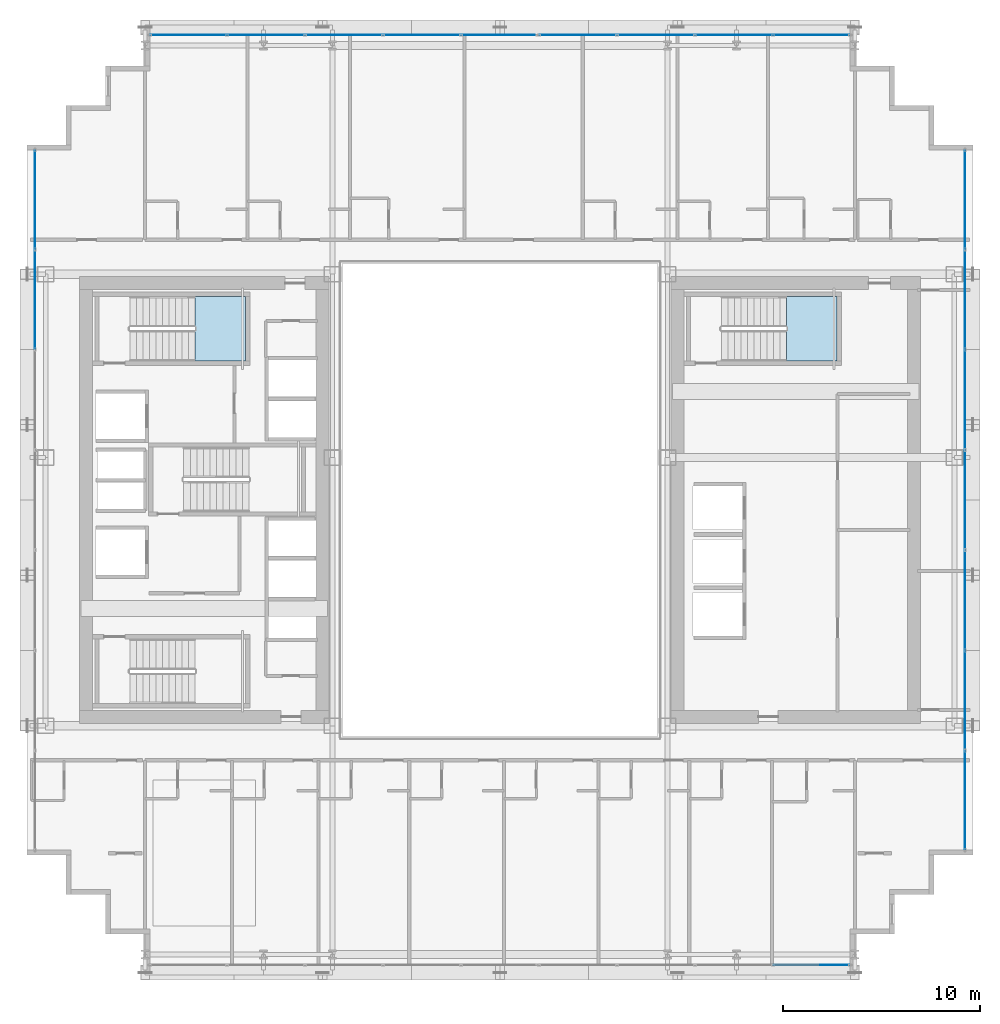
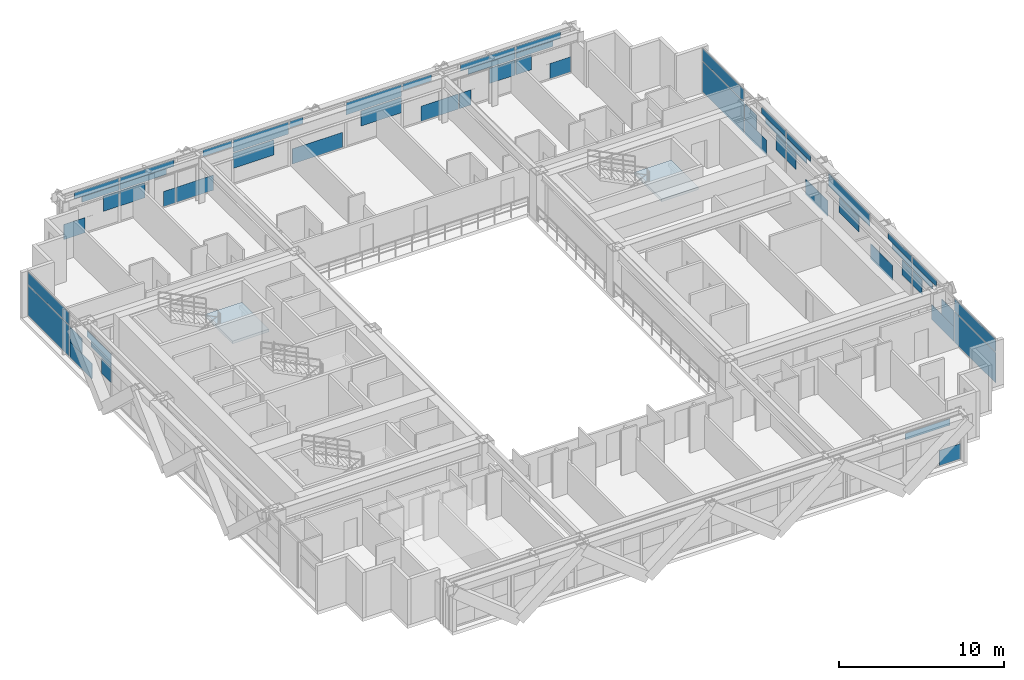
# One storey, part 24 of 35: 59 plates, 2 slabs, 6 elements without a shape of their own.
"""IFC4 building model written with IfcOpenShell, lengths in metres."""

import ifcopenshell
import ifcopenshell.guid

model = None  # the IFC model being written
_history = None  # IfcOwnerHistory: only IFC2X3 demands one
_inside = {}  # id of a spatial element -> (the spatial element, [elements in it])
_under = {}  # id of a project, library or spatial element -> (it, [spatial elements below it])
_declared = {}  # id of a project -> (the project, [libraries it declares])
_typed = {}  # id of a type object -> (the type object, [elements of that type])
_made_of = {}  # id of a material, layer set ... -> (it, [elements and type objects made of it])


def new_model(schema):
    """Start an empty IFC model of exactly this schema.

    Asked for "IFC4X3", IfcOpenShell would pick the latest addendum, in which some entities
    have other attributes; the version numbers below select the first issue.
    IFC2X3 requires an IfcOwnerHistory on every rooted entity: one is made here for all.
    """
    global model, _history
    if schema == "IFC4X3":
        model = ifcopenshell.file(schema_version=(4, 3, 0, 0))
    else:
        model = ifcopenshell.file(schema=schema)
    _inside.clear()
    _under.clear()
    _declared.clear()
    _typed.clear()
    _made_of.clear()
    _history = None
    if model.schema == "IFC2X3":
        org = make("IfcOrganization", Name="unknown")
        user = make(
            "IfcPersonAndOrganization",
            ThePerson=make("IfcPerson", FamilyName="unknown"),
            TheOrganization=org,
        )
        app = make(
            "IfcApplication",
            ApplicationDeveloper=org,
            Version="unknown",
            ApplicationFullName="unknown",
            ApplicationIdentifier="unknown",
        )
        _history = make(
            "IfcOwnerHistory",
            OwningUser=user,
            OwningApplication=app,
            ChangeAction="ADDED",
            CreationDate=0,
        )
    return model


def make(cls, **values):
    """One entity of the class cls with the attributes given. An attribute that is None is left unset."""
    return model.create_entity(
        cls, **{name: value for name, value in values.items() if value is not None}
    )


def rooted(cls, **values):
    """An entity with a GlobalId (a new one), such as an element, a storey or a relation."""
    return make(cls, GlobalId=ifcopenshell.guid.new(), OwnerHistory=_history, **values)


def si_unit(unit_type, name, prefix=None):
    """IfcSIUnit, for example si_unit("LENGTHUNIT", "METRE", prefix="MILLI")."""
    return make("IfcSIUnit", UnitType=unit_type, Prefix=prefix, Name=name)


def assignment(units):
    """IfcUnitAssignment: the units of a project."""
    return None if units is None else make("IfcUnitAssignment", Units=units)


def point(xyz):
    """IfcCartesianPoint."""
    return None if xyz is None else make("IfcCartesianPoint", Coordinates=xyz)


def direction(xyz):
    """IfcDirection."""
    return None if xyz is None else make("IfcDirection", DirectionRatios=xyz)


def frame(location, z_axis=None, x_axis=None):
    """IfcAxis2Placement3D, a coordinate frame: its origin and axes. An axis left out is left unset."""
    return make(
        "IfcAxis2Placement3D",
        Location=point(location),
        Axis=direction(z_axis),
        RefDirection=direction(x_axis),
    )


def frame_2d(location, x_axis=None):
    """IfcAxis2Placement2D, a coordinate frame in the plane: its origin and x axis."""
    return make(
        "IfcAxis2Placement2D", Location=point(location), RefDirection=direction(x_axis)
    )


def origin():
    """The frame at (0, 0, 0) with its axes left unset."""
    return frame((0.0, 0.0, 0.0))


def origin_2d():
    """The frame at (0, 0) in the plane with its x axis left unset."""
    return frame_2d((0.0, 0.0))


def place(relative_to, where):
    """IfcLocalPlacement: puts the frame where relative to a parent placement (None: the world)."""
    return make(
        "IfcLocalPlacement", PlacementRelTo=relative_to, RelativePlacement=where
    )


def context(
    kind, dimensions, precision=None, world=None, true_north=None, identifier=None
):
    """IfcGeometricRepresentationContext, for example the 3D "Model" context."""
    return make(
        "IfcGeometricRepresentationContext",
        ContextIdentifier=identifier,
        ContextType=kind,
        CoordinateSpaceDimension=dimensions,
        Precision=precision,
        WorldCoordinateSystem=world,
        TrueNorth=true_north,
    )


def subcontext(parent, identifier, kind, view, scale=None):
    """IfcGeometricRepresentationSubContext, for example "Body" below "Model"."""
    return make(
        "IfcGeometricRepresentationSubContext",
        ContextIdentifier=identifier,
        ContextType=kind,
        ParentContext=parent,
        TargetScale=scale,
        TargetView=view,
    )


def project(units=None, contexts=None):
    """IfcProject with its units and contexts."""
    return rooted(
        "IfcProject",
        Name="project",
        RepresentationContexts=contexts,
        UnitsInContext=assignment(units),
    )


def spatial(cls, under=None, at=None, **own):
    """A site, building, storey or space (cls), placed at a placement, below another one or the project."""
    s = rooted(cls, ObjectPlacement=at, **own)
    if under is not None:
        _under.setdefault(under.id(), (under, []))[1].append(s)
    return s


def polyline(points):
    """IfcPolyline through the points."""
    return make("IfcPolyline", Points=[point(p) for p in points])


def profile(cls, at=None, kind="AREA", **sizes):
    """A parametric profile (cls). Its sizes go by their IFC names, for example OverallWidth=200.0."""
    return make(cls, ProfileType=kind, Position=at, **sizes)


def rectangle(**sizes):
    """IfcRectangleProfileDef."""
    return profile("IfcRectangleProfileDef", **sizes)


def outline(outer, holes=None, kind="AREA"):
    """IfcArbitraryClosedProfileDef: a profile drawn as a closed curve; with holes, ...WithVoids."""
    if holes is None:
        return make("IfcArbitraryClosedProfileDef", ProfileType=kind, OuterCurve=outer)
    return make(
        "IfcArbitraryProfileDefWithVoids",
        ProfileType=kind,
        OuterCurve=outer,
        InnerCurves=holes,
    )


def extrude(swept, where, along, depth):
    """IfcExtrudedAreaSolid: the profile swept, set in the frame where, extruded along a direction by depth."""
    return make(
        "IfcExtrudedAreaSolid",
        SweptArea=swept,
        Position=where,
        ExtrudedDirection=direction(along),
        Depth=depth,
    )


def shape(context_of_items, identifier, shape_type, items):
    """IfcShapeRepresentation: the items that make up one representation, for example the "Body"."""
    return make(
        "IfcShapeRepresentation",
        ContextOfItems=context_of_items,
        RepresentationIdentifier=identifier,
        RepresentationType=shape_type,
        Items=items,
    )


def source(mapping_origin, context_of_items, identifier, shape_type, items):
    """IfcRepresentationMap: a shape defined once, which mapped items show again and again."""
    return make(
        "IfcRepresentationMap",
        MappingOrigin=mapping_origin,
        MappedRepresentation=shape(context_of_items, identifier, shape_type, items),
    )


def transform(
    local_origin,
    x_axis=None,
    y_axis=None,
    z_axis=None,
    scale=None,
    scale2=None,
    scale3=None,
    uniform=True,
):
    """IfcCartesianTransformationOperator3D, or its non-uniform kind. x_axis, y_axis, z_axis: its Axis1, 2, 3."""
    if uniform:
        return make(
            "IfcCartesianTransformationOperator3D",
            Axis1=direction(x_axis),
            Axis2=direction(y_axis),
            LocalOrigin=point(local_origin),
            Scale=scale,
            Axis3=direction(z_axis),
        )
    return make(
        "IfcCartesianTransformationOperator3DnonUniform",
        Axis1=direction(x_axis),
        Axis2=direction(y_axis),
        LocalOrigin=point(local_origin),
        Scale=scale,
        Axis3=direction(z_axis),
        Scale2=scale2,
        Scale3=scale3,
    )


def mapped(mapping_source, mapping_target):
    """IfcMappedItem: shows the shape of a source again, moved by a transform."""
    return make(
        "IfcMappedItem", MappingSource=mapping_source, MappingTarget=mapping_target
    )


def material(Name=None, Category=None):
    """IfcMaterial."""
    return make("IfcMaterial", Name=Name, Category=Category)


def layer(
    of_material, thickness, ventilated=None, Name=None, Category=None, Priority=None
):
    """IfcMaterialLayer: one layer of a wall or slab, of a material (None: an air gap)."""
    return make(
        "IfcMaterialLayer",
        Material=of_material,
        LayerThickness=thickness,
        IsVentilated=ventilated,
        Name=Name,
        Category=Category,
        Priority=Priority,
    )


def layer_set(layers, Name=None):
    """IfcMaterialLayerSet."""
    return make("IfcMaterialLayerSet", MaterialLayers=layers, LayerSetName=Name)


def made_of(thing, what):
    """Note that an element or type object is made of a material, layer set ...; save() writes the relation."""
    if what is not None:
        _made_of.setdefault(what.id(), (what, []))[1].append(thing)
    return thing


def type_object(cls, material=None, **own):
    """A type object (cls), such as IfcWallType, which elements share."""
    return made_of(rooted(cls, **own), material)


def element(
    cls,
    number,
    at=None,
    inside=None,
    cuts=None,
    type_object=None,
    material=None,
    context=None,
    identifier="Body",
    shape_type=None,
    held_by="IfcProductDefinitionShape",
    body=None,
    shapes=None,
    **own,
):
    """One element of the class cls, such as IfcWall. Its Tag is "e" and its number.

    at: its placement. inside: the storey or other place that contains it. cuts: it is an
    opening in that element (IfcRelVoidsElement). A single representation is given by context,
    identifier, shape_type and body (its items); several are given by shapes. held_by: the class
    of the entity that holds the representations. save() writes the other relations.
    """
    e = rooted(cls, Tag="e%d" % number, ObjectPlacement=at, **own)
    if body is not None:
        shapes = [shape(context, identifier, shape_type, body)]
    if shapes is not None:
        e.Representation = make(held_by, Representations=shapes)
    if inside is not None:
        _inside.setdefault(inside.id(), (inside, []))[1].append(e)
    if cuts is not None:
        rooted(
            "IfcRelVoidsElement", RelatingBuildingElement=cuts, RelatedOpeningElement=e
        )
    if type_object is not None:
        _typed.setdefault(type_object.id(), (type_object, []))[1].append(e)
    return made_of(e, material)


def aggregate(whole, parts):
    """IfcRelAggregates: a whole, such as a stair, and the parts it consists of."""
    return rooted("IfcRelAggregates", RelatingObject=whole, RelatedObjects=parts)


def save(model, path):
    """Write the relations noted so far, then the file.

    IfcRelAggregates (storeys below a building ...), IfcRelContainedInSpatialStructure (elements
    in a storey), IfcRelDefinesByType, IfcRelAssociatesMaterial and IfcRelDeclares: one each for
    every whole, place, type object, material and project.
    """
    for whole, parts in _under.values():
        aggregate(whole, parts)
    for where, things in _inside.values():
        rooted(
            "IfcRelContainedInSpatialStructure",
            RelatedElements=things,
            RelatingStructure=where,
        )
    for kind, things in _typed.values():
        rooted("IfcRelDefinesByType", RelatedObjects=things, RelatingType=kind)
    for what, things in _made_of.values():
        rooted("IfcRelAssociatesMaterial", RelatedObjects=things, RelatingMaterial=what)
    for by, libraries in _declared.values():
        rooted("IfcRelDeclares", RelatingContext=by, RelatedDefinitions=libraries)
    model.write(path)


model = new_model("IFC4")

# Units and contexts
model_context = context("Model", 3, precision=1e-05, world=origin(), true_north=direction((0.0, 1.0)))
body_context = subcontext(model_context, "Body", "Model", "MODEL_VIEW")
ifc_project = project(units=[si_unit("LENGTHUNIT", "METRE"), si_unit("AREAUNIT", "SQUARE_METRE"), si_unit("VOLUMEUNIT", "CUBIC_METRE"), si_unit("PLANEANGLEUNIT", "RADIAN"), si_unit("MASSUNIT", "GRAM", prefix="KILO")], contexts=[model_context])

# Site, building, storey
site_placement = place(None, origin())
site = spatial("IfcSite", under=ifc_project, at=site_placement, CompositionType="ELEMENT")
building_placement = place(site_placement, origin())
building = spatial("IfcBuilding", under=site, at=building_placement, Name="Ocotamira Hotel", CompositionType="ELEMENT")
storey_placement = place(building_placement, frame((0.0, 0.0, 100.800048828125)))
storey = spatial("IfcBuildingStorey", under=building, at=storey_placement, Name="L24", CompositionType="ELEMENT", Elevation=100.800048828125)

# Stair, slab
ifc_material_1 = material(Name="Concrete C40/50", Category="concrete")
stair_type = type_object("IfcStairType", Name="ST-CORE-1560", PredefinedType="HALF_TURN_STAIR", material=ifc_material_1)
stair_1_placement = place(storey_placement, origin())
stair_1 = element("IfcStair", 1, at=stair_1_placement, inside=storey, type_object=stair_type, Name="L24 Exit Stair ST-2", PredefinedType="HALF_TURN_STAIR")
ifc_layer_1 = layer(ifc_material_1, 0.199951171875)
ifc_layer_set_1 = layer_set([ifc_layer_1], Name="Concrete C40/50")
slab_type = type_object("IfcSlabType", Name="SLB-LAND-200", PredefinedType="LANDING", material=ifc_layer_set_1)
slab_1_placement = place(storey_placement, frame((0.0, 0.0, 1.599853515625)))
slab_1 = element("IfcSlab", 2, at=slab_1_placement, type_object=slab_type, Name="ST-2 landing 1", PredefinedType="LANDING", context=body_context, shape_type="SweptSolid", body=[
    extrude(outline(polyline([(16.530029296875, 33.050048828125), (19.090087890625, 33.050048828125), (19.090087890625, 36.330078125), (16.530029296875, 36.330078125), (16.530029296875, 33.050048828125)])), origin(), (0.0, 0.0, 1.0), 0.2001953125),
])
aggregate(stair_1, [slab_1])

stair_2_placement = place(storey_placement, origin())
stair_2 = element("IfcStair", 3, at=stair_2_placement, inside=storey, type_object=stair_type, Name="L24 Exit Stair ST-4", PredefinedType="HALF_TURN_STAIR")
slab_2_placement = place(storey_placement, frame((0.0, 0.0, 1.599853515625)))
slab_2 = element("IfcSlab", 4, at=slab_2_placement, type_object=slab_type, Name="ST-4 landing 1", PredefinedType="LANDING", context=body_context, shape_type="SweptSolid", body=[
    extrude(outline(polyline([(46.530029296875, 33.050048828125), (49.090087890625, 33.050048828125), (49.090087890625, 36.330078125), (46.530029296875, 36.330078125), (46.530029296875, 33.050048828125)])), origin(), (0.0, 0.0, 1.0), 0.2001953125),
])
aggregate(stair_2, [slab_2])

# Curtain wall, plate
ifc_material_2 = material(Name="Anodised pale-metal aluminium and solar glass", Category="aluminium")
ifc_layer_2 = layer(ifc_material_2, 0.179931640625)
ifc_layer_set_2 = layer_set([ifc_layer_2], Name="Anodised pale-metal aluminium and solar glass")
curtain_wall_type = type_object("IfcCurtainWallType", Name="CW-SYS3-Z2", PredefinedType="NOTDEFINED", material=ifc_layer_set_2)
curtain_wall_1_placement = place(storey_placement, origin())
curtain_wall_1 = element("IfcCurtainWall", 5, at=curtain_wall_1_placement, inside=storey, type_object=curtain_wall_type, Name="L24 Curtain Wall CW-3 CW-L24-W", PredefinedType="NOTDEFINED")
ifc_material_3 = material(Name="Double-silver low-E insulated solar glass", Category="glass")
ifc_layer_3 = layer(ifc_material_3, 0.031982421875)
ifc_layer_set_3 = layer_set([ifc_layer_3], Name="Double-silver low-E insulated solar glass")
plate_type = type_object("IfcPlateType", Name="CWP-VISION-32", PredefinedType="CURTAIN_PANEL", material=ifc_layer_set_3)
shared_shape_1 = source(origin(), body_context, "Body", "SweptSolid", [
    extrude(rectangle(XDim=4.9658203125, YDim=0.031982421875, at=origin_2d()), origin(), (0.0, 0.0, 1.0), 2.237548828125),
])
plate_1_placement = place(storey_placement, frame((8.419921875, 41.237060546875, 0.07470703125), z_axis=(0.0, 0.0, 1.0), x_axis=(0.0, 1.0, 0.0)))
plate_1 = element("IfcPlate", 6, at=plate_1_placement, type_object=plate_type, Name="CW-3 panel 7.1", PredefinedType="CURTAIN_PANEL", context=body_context, shape_type="MappedRepresentation", body=[
    mapped(shared_shape_1, transform((0.0, 0.0, 0.0), scale=1.0)),
])

# Curtain wall, plates
curtain_wall_2_placement = place(storey_placement, origin())
curtain_wall_2 = element("IfcCurtainWall", 7, at=curtain_wall_2_placement, inside=storey, type_object=curtain_wall_type, Name="L24 Curtain Wall CW-3 CW-L24-E", PredefinedType="NOTDEFINED")
plate_2_placement = place(storey_placement, frame((55.580078125, 10.762939453125, 0.07470703125), z_axis=(0.0, 0.0, 1.0), x_axis=(0.0, 1.0, 0.0)))
plate_2 = element("IfcPlate", 8, at=plate_2_placement, type_object=plate_type, Name="CW-3 panel 1.1", PredefinedType="CURTAIN_PANEL", context=body_context, shape_type="MappedRepresentation", body=[
    mapped(shared_shape_1, transform((0.0, 0.0, 0.0), scale=1.0)),
])
plate_3_placement = place(storey_placement, frame((55.580078125, 41.237060546875, 0.07470703125), z_axis=(0.0, 0.0, 1.0), x_axis=(0.0, 1.0, 0.0)))
plate_3 = element("IfcPlate", 9, at=plate_3_placement, type_object=plate_type, Name="CW-3 panel 7.1", PredefinedType="CURTAIN_PANEL", context=body_context, shape_type="MappedRepresentation", body=[
    mapped(shared_shape_1, transform((0.0, 0.0, 0.0), scale=1.0)),
])

curtain_wall_3_placement = place(storey_placement, origin())
curtain_wall_3 = element("IfcCurtainWall", 10, at=curtain_wall_3_placement, inside=storey, type_object=curtain_wall_type, Name="L24 Curtain Wall CW-3 CW-L24-N", PredefinedType="NOTDEFINED")
shared_shape_2 = source(origin(), body_context, "Body", "SweptSolid", [
    extrude(rectangle(XDim=3.87548828125, YDim=0.031982421875, at=origin_2d()), origin(), (0.0, 0.0, 1.0), 0.8974609375),
])
plate_4_placement = place(storey_placement, frame((28.04443359375, 49.580078125, 2.387451171875), z_axis=(0.0, 0.0, 1.0), x_axis=(1.0, 0.0, 0.0)))
plate_4 = element("IfcPlate", 11, at=plate_4_placement, type_object=plate_type, Name="CW-3 panel 4.2", PredefinedType="CURTAIN_PANEL", context=body_context, shape_type="MappedRepresentation", body=[
    mapped(shared_shape_2, transform((0.0, 0.0, 0.0), scale=1.0)),
])
plate_5_placement = place(storey_placement, frame((35.95556640625, 49.580078125, 2.387451171875), z_axis=(0.0, 0.0, 1.0), x_axis=(1.0, 0.0, 0.0)))
plate_5 = element("IfcPlate", 12, at=plate_5_placement, type_object=plate_type, Name="CW-3 panel 6.2", PredefinedType="CURTAIN_PANEL", context=body_context, shape_type="MappedRepresentation", body=[
    mapped(shared_shape_2, transform((0.0, 0.0, 0.0), scale=1.0)),
])

# Plate
shared_shape_3 = source(origin(), body_context, "Body", "SweptSolid", [
    extrude(rectangle(XDim=4.9658203125, YDim=0.031982421875, at=origin_2d()), origin(), (0.0, 0.0, 1.0), 0.8974609375),
])
plate_6_placement = place(storey_placement, frame((8.419921875, 41.237060546875, 2.387451171875), z_axis=(0.0, 0.0, 1.0), x_axis=(0.0, 1.0, 0.0)))
plate_6 = element("IfcPlate", 13, at=plate_6_placement, type_object=plate_type, Name="CW-3 panel 7.2", PredefinedType="CURTAIN_PANEL", context=body_context, shape_type="MappedRepresentation", body=[
    mapped(shared_shape_3, transform((0.0, 0.0, 0.0), scale=1.0)),
])

plate_7_placement = place(storey_placement, frame((55.580078125, 10.762939453125, 2.387451171875), z_axis=(0.0, 0.0, 1.0), x_axis=(0.0, 1.0, 0.0)))
plate_7 = element("IfcPlate", 14, at=plate_7_placement, type_object=plate_type, Name="CW-3 panel 1.2", PredefinedType="CURTAIN_PANEL", context=body_context, shape_type="MappedRepresentation", body=[
    mapped(shared_shape_3, transform((0.0, 0.0, 0.0), scale=1.0)),
])

plate_8_placement = place(storey_placement, frame((55.580078125, 41.237060546875, 2.387451171875), z_axis=(0.0, 0.0, 1.0), x_axis=(0.0, 1.0, 0.0)))
plate_8 = element("IfcPlate", 15, at=plate_8_placement, type_object=plate_type, Name="CW-3 panel 7.2", PredefinedType="CURTAIN_PANEL", context=body_context, shape_type="MappedRepresentation", body=[
    mapped(shared_shape_3, transform((0.0, 0.0, 0.0), scale=1.0)),
])

# Curtain wall, plate
curtain_wall_4_placement = place(storey_placement, origin())
curtain_wall_4 = element("IfcCurtainWall", 16, at=curtain_wall_4_placement, inside=storey, type_object=curtain_wall_type, Name="L24 Curtain Wall CW-3 CW-L24-S1", PredefinedType="NOTDEFINED")
shared_shape_4 = source(origin(), body_context, "Body", "SweptSolid", [
    extrude(rectangle(XDim=1.47509765625, YDim=0.031982421875, at=origin_2d()), origin(), (0.0, 0.0, 1.0), 1.118896484375),
])
plate_9_placement = place(storey_placement, frame((48.982421875, 2.419921875, 0.07470703125), z_axis=(0.0, 0.0, 1.0), x_axis=(1.0, 0.0, 0.0)))
plate_9 = element("IfcPlate", 17, at=plate_9_placement, type_object=plate_type, Name="CW-3 panel 9.1.2", PredefinedType="CURTAIN_PANEL", context=body_context, shape_type="MappedRepresentation", body=[
    mapped(shared_shape_4, transform((0.0, 0.0, 0.0), scale=1.0)),
])

# Plate
plate_10_placement = place(storey_placement, frame((15.017578125, 49.580078125, 0.07470703125), z_axis=(0.0, 0.0, 1.0), x_axis=(1.0, 0.0, 0.0)))
plate_10 = element("IfcPlate", 18, at=plate_10_placement, type_object=plate_type, Name="CW-3 panel 1.1.1", PredefinedType="CURTAIN_PANEL", context=body_context, shape_type="MappedRepresentation", body=[
    mapped(shared_shape_4, transform((0.0, 0.0, 0.0), scale=1.0)),
])

plate_11_placement = place(storey_placement, frame((48.982421875, 49.580078125, 0.07470703125), z_axis=(0.0, 0.0, 1.0), x_axis=(1.0, 0.0, 0.0)))
plate_11 = element("IfcPlate", 19, at=plate_11_placement, type_object=plate_type, Name="CW-3 panel 9.1.2", PredefinedType="CURTAIN_PANEL", context=body_context, shape_type="MappedRepresentation", body=[
    mapped(shared_shape_4, transform((0.0, 0.0, 0.0), scale=1.0)),
])

shared_shape_5 = source(origin(), body_context, "Body", "SweptSolid", [
    extrude(rectangle(XDim=1.079833984375, YDim=0.031982421875, at=origin_2d()), origin(), (0.0, 0.0, 1.0), 1.11865234375),
])
plate_12_placement = place(storey_placement, frame((17.57568359375, 49.580078125, 1.193603515625), z_axis=(0.0, 0.0, 1.0), x_axis=(1.0, 0.0, 0.0)))
plate_12 = element("IfcPlate", 20, at=plate_12_placement, type_object=plate_type, Name="CW-3 panel 1.1.2", PredefinedType="CURTAIN_PANEL", context=body_context, shape_type="MappedRepresentation", body=[
    mapped(shared_shape_5, transform((0.0, 0.0, 0.0), scale=1.0)),
])

plate_13_placement = place(storey_placement, frame((46.42431640625, 49.580078125, 1.193603515625), z_axis=(0.0, 0.0, 1.0), x_axis=(1.0, 0.0, 0.0)))
plate_13 = element("IfcPlate", 21, at=plate_13_placement, type_object=plate_type, Name="CW-3 panel 9.1.1", PredefinedType="CURTAIN_PANEL", context=body_context, shape_type="MappedRepresentation", body=[
    mapped(shared_shape_5, transform((0.0, 0.0, 0.0), scale=1.0)),
])

shared_shape_6 = source(origin(), body_context, "Body", "SweptSolid", [
    extrude(rectangle(XDim=3.104248046875, YDim=0.031982421875, at=origin_2d()), origin(), (0.0, 0.0, 1.0), 0.4716796875),
])
plate_14_placement = place(storey_placement, frame((47.4365234375, 2.419921875, 2.813232421875), z_axis=(0.0, 0.0, 1.0), x_axis=(1.0, 0.0, 0.0)))
plate_14 = element("IfcPlate", 22, at=plate_14_placement, type_object=plate_type, Name="CW-3 panel 9.2.2", PredefinedType="CURTAIN_PANEL", context=body_context, shape_type="MappedRepresentation", body=[
    mapped(shared_shape_6, transform((0.0, 0.0, 0.0), scale=1.0)),
])

aggregate(curtain_wall_4, [plate_9, plate_14])

plate_15_placement = place(storey_placement, frame((16.5634765625, 49.580078125, 2.813232421875), z_axis=(0.0, 0.0, 1.0), x_axis=(1.0, 0.0, 0.0)))
plate_15 = element("IfcPlate", 23, at=plate_15_placement, type_object=plate_type, Name="CW-3 panel 1.2.1", PredefinedType="CURTAIN_PANEL", context=body_context, shape_type="MappedRepresentation", body=[
    mapped(shared_shape_6, transform((0.0, 0.0, 0.0), scale=1.0)),
])

plate_16_placement = place(storey_placement, frame((47.4365234375, 49.580078125, 2.813232421875), z_axis=(0.0, 0.0, 1.0), x_axis=(1.0, 0.0, 0.0)))
plate_16 = element("IfcPlate", 24, at=plate_16_placement, type_object=plate_type, Name="CW-3 panel 9.2.2", PredefinedType="CURTAIN_PANEL", context=body_context, shape_type="MappedRepresentation", body=[
    mapped(shared_shape_6, transform((0.0, 0.0, 0.0), scale=1.0)),
])

shared_shape_7 = source(origin(), body_context, "Body", "SweptSolid", [
    extrude(rectangle(XDim=2.572021484375, YDim=0.031982421875, at=origin_2d()), origin(), (0.0, 0.0, 1.0), 0.39453125),
])
plate_17_placement = place(storey_placement, frame((16.82958984375, 49.580078125, 2.387451171875), z_axis=(0.0, 0.0, 1.0), x_axis=(1.0, 0.0, 0.0)))
plate_17 = element("IfcPlate", 25, at=plate_17_placement, type_object=plate_type, Name="CW-3 panel 1.2.2", PredefinedType="CURTAIN_PANEL", context=body_context, shape_type="MappedRepresentation", body=[
    mapped(shared_shape_7, transform((0.0, 0.0, 0.0), scale=1.0)),
])

plate_18_placement = place(storey_placement, frame((47.17041015625, 49.580078125, 2.387451171875), z_axis=(0.0, 0.0, 1.0), x_axis=(1.0, 0.0, 0.0)))
plate_18 = element("IfcPlate", 26, at=plate_18_placement, type_object=plate_type, Name="CW-3 panel 9.2.1", PredefinedType="CURTAIN_PANEL", context=body_context, shape_type="MappedRepresentation", body=[
    mapped(shared_shape_7, transform((0.0, 0.0, 0.0), scale=1.0)),
])

shared_shape_8 = source(origin(), body_context, "Body", "SweptSolid", [
    extrude(rectangle(XDim=1.768798828125, YDim=0.031982421875, at=origin_2d()), origin(), (0.0, 0.0, 1.0), 1.11865234375),
])
plate_19_placement = place(storey_placement, frame((19.080078125, 49.580078125, 1.193603515625), z_axis=(0.0, 0.0, 1.0), x_axis=(1.0, 0.0, 0.0)))
plate_19 = element("IfcPlate", 27, at=plate_19_placement, type_object=plate_type, Name="CW-3 panel 2.1.1", PredefinedType="CURTAIN_PANEL", context=body_context, shape_type="MappedRepresentation", body=[
    mapped(shared_shape_8, transform((0.0, 0.0, 0.0), scale=1.0)),
])

plate_20_placement = place(storey_placement, frame((44.919921875, 49.580078125, 1.193603515625), z_axis=(0.0, 0.0, 1.0), x_axis=(1.0, 0.0, 0.0)))
plate_20 = element("IfcPlate", 28, at=plate_20_placement, type_object=plate_type, Name="CW-3 panel 8.1.2", PredefinedType="CURTAIN_PANEL", context=body_context, shape_type="MappedRepresentation", body=[
    mapped(shared_shape_8, transform((0.0, 0.0, 0.0), scale=1.0)),
])

shared_shape_9 = source(origin(), body_context, "Body", "SweptSolid", [
    extrude(rectangle(XDim=0.826171875, YDim=0.031982421875, at=origin_2d()), origin(), (0.0, 0.0, 1.0), 1.118896484375),
])
plate_21_placement = place(storey_placement, frame((21.658203125, 49.580078125, 0.07470703125), z_axis=(0.0, 0.0, 1.0), x_axis=(1.0, 0.0, 0.0)))
plate_21 = element("IfcPlate", 29, at=plate_21_placement, type_object=plate_type, Name="CW-3 panel 2.1.2", PredefinedType="CURTAIN_PANEL", context=body_context, shape_type="MappedRepresentation", body=[
    mapped(shared_shape_9, transform((0.0, 0.0, 0.0), scale=1.0)),
])

plate_22_placement = place(storey_placement, frame((42.341796875, 49.580078125, 0.07470703125), z_axis=(0.0, 0.0, 1.0), x_axis=(1.0, 0.0, 0.0)))
plate_22 = element("IfcPlate", 30, at=plate_22_placement, type_object=plate_type, Name="CW-3 panel 8.1.1", PredefinedType="CURTAIN_PANEL", context=body_context, shape_type="MappedRepresentation", body=[
    mapped(shared_shape_9, transform((0.0, 0.0, 0.0), scale=1.0)),
])

shared_shape_10 = source(origin(), body_context, "Body", "SweptSolid", [
    extrude(rectangle(XDim=3.260986328125, YDim=0.031982421875, at=origin_2d()), origin(), (0.0, 0.0, 1.0), 0.42578125),
])
plate_23_placement = place(storey_placement, frame((19.826171875, 49.580078125, 2.387451171875), z_axis=(0.0, 0.0, 1.0), x_axis=(1.0, 0.0, 0.0)))
plate_23 = element("IfcPlate", 31, at=plate_23_placement, type_object=plate_type, Name="CW-3 panel 2.2.1", PredefinedType="CURTAIN_PANEL", context=body_context, shape_type="MappedRepresentation", body=[
    mapped(shared_shape_10, transform((0.0, 0.0, 0.0), scale=1.0)),
])

plate_24_placement = place(storey_placement, frame((44.173828125, 49.580078125, 2.387451171875), z_axis=(0.0, 0.0, 1.0), x_axis=(1.0, 0.0, 0.0)))
plate_24 = element("IfcPlate", 32, at=plate_24_placement, type_object=plate_type, Name="CW-3 panel 8.2.2", PredefinedType="CURTAIN_PANEL", context=body_context, shape_type="MappedRepresentation", body=[
    mapped(shared_shape_10, transform((0.0, 0.0, 0.0), scale=1.0)),
])

shared_shape_11 = source(origin(), body_context, "Body", "SweptSolid", [
    extrude(rectangle(XDim=3.793212890625, YDim=0.031982421875, at=origin_2d()), origin(), (0.0, 0.0, 1.0), 0.4716796875),
])
plate_25_placement = place(storey_placement, frame((20.09228515625, 49.580078125, 2.813232421875), z_axis=(0.0, 0.0, 1.0), x_axis=(1.0, 0.0, 0.0)))
plate_25 = element("IfcPlate", 33, at=plate_25_placement, type_object=plate_type, Name="CW-3 panel 2.2.2", PredefinedType="CURTAIN_PANEL", context=body_context, shape_type="MappedRepresentation", body=[
    mapped(shared_shape_11, transform((0.0, 0.0, 0.0), scale=1.0)),
])

plate_26_placement = place(storey_placement, frame((43.90771484375, 49.580078125, 2.813232421875), z_axis=(0.0, 0.0, 1.0), x_axis=(1.0, 0.0, 0.0)))
plate_26 = element("IfcPlate", 34, at=plate_26_placement, type_object=plate_type, Name="CW-3 panel 8.2.1", PredefinedType="CURTAIN_PANEL", context=body_context, shape_type="MappedRepresentation", body=[
    mapped(shared_shape_11, transform((0.0, 0.0, 0.0), scale=1.0)),
])

shared_shape_12 = source(origin(), body_context, "Body", "SweptSolid", [
    extrude(rectangle(XDim=2.60400390625, YDim=0.031982421875, at=origin_2d()), origin(), (0.0, 0.0, 1.0), 1.118896484375),
])
plate_27_placement = place(storey_placement, frame((23.453125, 49.580078125, 0.07470703125), z_axis=(0.0, 0.0, 1.0), x_axis=(1.0, 0.0, 0.0)))
plate_27 = element("IfcPlate", 35, at=plate_27_placement, type_object=plate_type, Name="CW-3 panel 3.1.1", PredefinedType="CURTAIN_PANEL", context=body_context, shape_type="MappedRepresentation", body=[
    mapped(shared_shape_12, transform((0.0, 0.0, 0.0), scale=1.0)),
])

plate_28_placement = place(storey_placement, frame((40.546875, 49.580078125, 0.07470703125), z_axis=(0.0, 0.0, 1.0), x_axis=(1.0, 0.0, 0.0)))
plate_28 = element("IfcPlate", 36, at=plate_28_placement, type_object=plate_type, Name="CW-3 panel 7.1.1", PredefinedType="CURTAIN_PANEL", context=body_context, shape_type="MappedRepresentation", body=[
    mapped(shared_shape_12, transform((0.0, 0.0, 0.0), scale=1.0)),
])

shared_shape_13 = source(origin(), body_context, "Body", "SweptSolid", [
    extrude(rectangle(XDim=2.015380859375, YDim=0.031982421875, at=origin_2d()), origin(), (0.0, 0.0, 1.0), 0.4716796875),
])
plate_29_placement = place(storey_placement, frame((25.018798828125, 49.580078125, 2.813232421875), z_axis=(0.0, 0.0, 1.0), x_axis=(1.0, 0.0, 0.0)))
plate_29 = element("IfcPlate", 37, at=plate_29_placement, type_object=plate_type, Name="CW-3 panel 3.2.1", PredefinedType="CURTAIN_PANEL", context=body_context, shape_type="MappedRepresentation", body=[
    mapped(shared_shape_13, transform((0.0, 0.0, 0.0), scale=1.0)),
])

plate_30_placement = place(storey_placement, frame((38.981201171875, 49.580078125, 2.813232421875), z_axis=(0.0, 0.0, 1.0), x_axis=(1.0, 0.0, 0.0)))
plate_30 = element("IfcPlate", 38, at=plate_30_placement, type_object=plate_type, Name="CW-3 panel 7.2.1", PredefinedType="CURTAIN_PANEL", context=body_context, shape_type="MappedRepresentation", body=[
    mapped(shared_shape_13, transform((0.0, 0.0, 0.0), scale=1.0)),
])

shared_shape_14 = source(origin(), body_context, "Body", "SweptSolid", [
    extrude(rectangle(XDim=2.857666015625, YDim=0.031982421875, at=origin_2d()), origin(), (0.0, 0.0, 1.0), 1.11865234375),
])
plate_31_placement = place(storey_placement, frame((27.535400390625, 49.580078125, 1.193603515625), z_axis=(0.0, 0.0, 1.0), x_axis=(1.0, 0.0, 0.0)))
plate_31 = element("IfcPlate", 39, at=plate_31_placement, type_object=plate_type, Name="CW-3 panel 4.1.1", PredefinedType="CURTAIN_PANEL", context=body_context, shape_type="MappedRepresentation", body=[
    mapped(shared_shape_14, transform((0.0, 0.0, 0.0), scale=1.0)),
])

plate_32_placement = place(storey_placement, frame((36.464599609375, 49.580078125, 1.193603515625), z_axis=(0.0, 0.0, 1.0), x_axis=(1.0, 0.0, 0.0)))
plate_32 = element("IfcPlate", 40, at=plate_32_placement, type_object=plate_type, Name="CW-3 panel 6.1.1", PredefinedType="CURTAIN_PANEL", context=body_context, shape_type="MappedRepresentation", body=[
    mapped(shared_shape_14, transform((0.0, 0.0, 0.0), scale=1.0)),
])

shared_shape_15 = source(origin(), body_context, "Body", "SweptSolid", [
    extrude(rectangle(XDim=3.510009765625, YDim=0.031982421875, at=origin_2d()), origin(), (0.0, 0.0, 1.0), 1.118896484375),
])
plate_33_placement = place(storey_placement, frame((32.0, 49.580078125, 0.07470703125), z_axis=(0.0, 0.0, 1.0), x_axis=(1.0, 0.0, 0.0)))
plate_33 = element("IfcPlate", 41, at=plate_33_placement, type_object=plate_type, Name="CW-3 panel 5.1.1", PredefinedType="CURTAIN_PANEL", context=body_context, shape_type="MappedRepresentation", body=[
    mapped(shared_shape_15, transform((0.0, 0.0, 0.0), scale=1.0)),
])

shared_shape_16 = source(origin(), body_context, "Body", "SweptSolid", [
    extrude(rectangle(XDim=0.926513671875, YDim=0.031982421875, at=origin_2d()), origin(), (0.0, 0.0, 1.0), 0.4716796875),
])
plate_34_placement = place(storey_placement, frame((30.525390625, 49.580078125, 2.813232421875), z_axis=(0.0, 0.0, 1.0), x_axis=(1.0, 0.0, 0.0)))
plate_34 = element("IfcPlate", 42, at=plate_34_placement, type_object=plate_type, Name="CW-3 panel 5.2.1", PredefinedType="CURTAIN_PANEL", context=body_context, shape_type="MappedRepresentation", body=[
    mapped(shared_shape_16, transform((0.0, 0.0, 0.0), scale=1.0)),
])

aggregate(curtain_wall_3, [plate_10, plate_12, plate_15, plate_17, plate_19, plate_21, plate_23, plate_25, plate_27, plate_29, plate_31, plate_4, plate_33, plate_34, plate_32, plate_5, plate_28, plate_30, plate_22, plate_20, plate_26, plate_24, plate_13, plate_11, plate_18, plate_16])

shared_shape_17 = source(origin(), body_context, "Body", "SweptSolid", [
    extrude(rectangle(XDim=2.6728515625, YDim=0.031982421875, at=origin_2d()), origin(), (0.0, 0.0, 1.0), 1.118896484375),
])
plate_35_placement = place(storey_placement, frame((8.419921875, 37.337890625, 0.07470703125), z_axis=(0.0, 0.0, 1.0), x_axis=(0.0, 1.0, 0.0)))
plate_35 = element("IfcPlate", 43, at=plate_35_placement, type_object=plate_type, Name="CW-3 panel 6.1.2", PredefinedType="CURTAIN_PANEL", context=body_context, shape_type="MappedRepresentation", body=[
    mapped(shared_shape_17, transform((0.0, 0.0, 0.0), scale=1.0)),
])

plate_36_placement = place(storey_placement, frame((55.580078125, 14.662109375, 0.07470703125), z_axis=(0.0, 0.0, 1.0), x_axis=(0.0, 1.0, 0.0)))
plate_36 = element("IfcPlate", 44, at=plate_36_placement, type_object=plate_type, Name="CW-3 panel 2.1.1", PredefinedType="CURTAIN_PANEL", context=body_context, shape_type="MappedRepresentation", body=[
    mapped(shared_shape_17, transform((0.0, 0.0, 0.0), scale=1.0)),
])

plate_37_placement = place(storey_placement, frame((55.580078125, 37.337890625, 0.07470703125), z_axis=(0.0, 0.0, 1.0), x_axis=(0.0, 1.0, 0.0)))
plate_37 = element("IfcPlate", 45, at=plate_37_placement, type_object=plate_type, Name="CW-3 panel 6.1.2", PredefinedType="CURTAIN_PANEL", context=body_context, shape_type="MappedRepresentation", body=[
    mapped(shared_shape_17, transform((0.0, 0.0, 0.0), scale=1.0)),
])

shared_shape_18 = source(origin(), body_context, "Body", "SweptSolid", [
    extrude(rectangle(XDim=1.48681640625, YDim=0.031982421875, at=origin_2d()), origin(), (0.0, 0.0, 1.0), 1.11865234375),
])
plate_38_placement = place(storey_placement, frame((8.419921875, 37.930908203125, 1.193603515625), z_axis=(0.0, 0.0, 1.0), x_axis=(0.0, 1.0, 0.0)))
plate_38 = element("IfcPlate", 46, at=plate_38_placement, type_object=plate_type, Name="CW-3 panel 6.1.3", PredefinedType="CURTAIN_PANEL", context=body_context, shape_type="MappedRepresentation", body=[
    mapped(shared_shape_18, transform((0.0, 0.0, 0.0), scale=1.0)),
])

plate_39_placement = place(storey_placement, frame((55.580078125, 14.069091796875, 1.193603515625), z_axis=(0.0, 0.0, 1.0), x_axis=(0.0, 1.0, 0.0)))
plate_39 = element("IfcPlate", 47, at=plate_39_placement, type_object=plate_type, Name="CW-3 panel 2.1.2", PredefinedType="CURTAIN_PANEL", context=body_context, shape_type="MappedRepresentation", body=[
    mapped(shared_shape_18, transform((0.0, 0.0, 0.0), scale=1.0)),
])

plate_40_placement = place(storey_placement, frame((55.580078125, 37.930908203125, 1.193603515625), z_axis=(0.0, 0.0, 1.0), x_axis=(0.0, 1.0, 0.0)))
plate_40 = element("IfcPlate", 48, at=plate_40_placement, type_object=plate_type, Name="CW-3 panel 6.1.3", PredefinedType="CURTAIN_PANEL", context=body_context, shape_type="MappedRepresentation", body=[
    mapped(shared_shape_18, transform((0.0, 0.0, 0.0), scale=1.0)),
])

shared_shape_19 = source(origin(), body_context, "Body", "SweptSolid", [
    extrude(rectangle(XDim=1.1669921875, YDim=0.031982421875, at=origin_2d()), origin(), (0.0, 0.0, 1.0), 1.11865234375),
])
plate_41_placement = place(storey_placement, frame((8.419921875, 34.251953125, 1.193603515625), z_axis=(0.0, 0.0, 1.0), x_axis=(0.0, 1.0, 0.0)))
plate_41 = element("IfcPlate", 49, at=plate_41_placement, type_object=plate_type, Name="CW-3 panel 6.1.1", PredefinedType="CURTAIN_PANEL", context=body_context, shape_type="MappedRepresentation", body=[
    mapped(shared_shape_19, transform((0.0, 0.0, 0.0), scale=1.0)),
])

plate_42_placement = place(storey_placement, frame((55.580078125, 17.748046875, 1.193603515625), z_axis=(0.0, 0.0, 1.0), x_axis=(0.0, 1.0, 0.0)))
plate_42 = element("IfcPlate", 50, at=plate_42_placement, type_object=plate_type, Name="CW-3 panel 2.1.3", PredefinedType="CURTAIN_PANEL", context=body_context, shape_type="MappedRepresentation", body=[
    mapped(shared_shape_19, transform((0.0, 0.0, 0.0), scale=1.0)),
])

plate_43_placement = place(storey_placement, frame((55.580078125, 34.251953125, 1.193603515625), z_axis=(0.0, 0.0, 1.0), x_axis=(0.0, 1.0, 0.0)))
plate_43 = element("IfcPlate", 51, at=plate_43_placement, type_object=plate_type, Name="CW-3 panel 6.1.1", PredefinedType="CURTAIN_PANEL", context=body_context, shape_type="MappedRepresentation", body=[
    mapped(shared_shape_19, transform((0.0, 0.0, 0.0), scale=1.0)),
])

shared_shape_20 = source(origin(), body_context, "Body", "SweptSolid", [
    extrude(rectangle(XDim=2.908203125, YDim=0.031982421875, at=origin_2d()), origin(), (0.0, 0.0, 1.0), 0.44873046875),
])
plate_44_placement = place(storey_placement, frame((8.419921875, 35.122802734375, 2.836181640625), z_axis=(0.0, 0.0, 1.0), x_axis=(0.0, 1.0, 0.0)))
plate_44 = element("IfcPlate", 52, at=plate_44_placement, type_object=plate_type, Name="CW-3 panel 6.2.2", PredefinedType="CURTAIN_PANEL", context=body_context, shape_type="MappedRepresentation", body=[
    mapped(shared_shape_20, transform((0.0, 0.0, 0.0), scale=1.0)),
])

plate_45_placement = place(storey_placement, frame((55.580078125, 16.877197265625, 2.836181640625), z_axis=(0.0, 0.0, 1.0), x_axis=(0.0, 1.0, 0.0)))
plate_45 = element("IfcPlate", 53, at=plate_45_placement, type_object=plate_type, Name="CW-3 panel 2.2.1", PredefinedType="CURTAIN_PANEL", context=body_context, shape_type="MappedRepresentation", body=[
    mapped(shared_shape_20, transform((0.0, 0.0, 0.0), scale=1.0)),
])

plate_46_placement = place(storey_placement, frame((55.580078125, 35.122802734375, 2.836181640625), z_axis=(0.0, 0.0, 1.0), x_axis=(0.0, 1.0, 0.0)))
plate_46 = element("IfcPlate", 54, at=plate_46_placement, type_object=plate_type, Name="CW-3 panel 6.2.2", PredefinedType="CURTAIN_PANEL", context=body_context, shape_type="MappedRepresentation", body=[
    mapped(shared_shape_20, transform((0.0, 0.0, 0.0), scale=1.0)),
])

shared_shape_21 = source(origin(), body_context, "Body", "SweptSolid", [
    extrude(rectangle(XDim=2.4326171875, YDim=0.031982421875, at=origin_2d()), origin(), (0.0, 0.0, 1.0), 0.414306640625),
])
plate_47_placement = place(storey_placement, frame((8.419921875, 34.884765625, 2.3876953125), z_axis=(0.0, 0.0, 1.0), x_axis=(0.0, 1.0, 0.0)))
plate_47 = element("IfcPlate", 55, at=plate_47_placement, type_object=plate_type, Name="CW-3 panel 6.2.1", PredefinedType="CURTAIN_PANEL", context=body_context, shape_type="MappedRepresentation", body=[
    mapped(shared_shape_21, transform((0.0, 0.0, 0.0), scale=1.0)),
])

aggregate(curtain_wall_1, [plate_41, plate_35, plate_38, plate_47, plate_44, plate_1, plate_6])

plate_48_placement = place(storey_placement, frame((55.580078125, 17.115234375, 2.3876953125), z_axis=(0.0, 0.0, 1.0), x_axis=(0.0, 1.0, 0.0)))
plate_48 = element("IfcPlate", 56, at=plate_48_placement, type_object=plate_type, Name="CW-3 panel 2.2.2", PredefinedType="CURTAIN_PANEL", context=body_context, shape_type="MappedRepresentation", body=[
    mapped(shared_shape_21, transform((0.0, 0.0, 0.0), scale=1.0)),
])

plate_49_placement = place(storey_placement, frame((55.580078125, 34.884765625, 2.3876953125), z_axis=(0.0, 0.0, 1.0), x_axis=(0.0, 1.0, 0.0)))
plate_49 = element("IfcPlate", 57, at=plate_49_placement, type_object=plate_type, Name="CW-3 panel 6.2.1", PredefinedType="CURTAIN_PANEL", context=body_context, shape_type="MappedRepresentation", body=[
    mapped(shared_shape_21, transform((0.0, 0.0, 0.0), scale=1.0)),
])

shared_shape_22 = source(origin(), body_context, "Body", "SweptSolid", [
    extrude(rectangle(XDim=1.1572265625, YDim=0.031982421875, at=origin_2d()), origin(), (0.0, 0.0, 1.0), 1.11865234375),
])
plate_50_placement = place(storey_placement, frame((55.580078125, 18.989990234375, 1.193603515625), z_axis=(0.0, 0.0, 1.0), x_axis=(0.0, 1.0, 0.0)))
plate_50 = element("IfcPlate", 58, at=plate_50_placement, type_object=plate_type, Name="CW-3 panel 3.1.1", PredefinedType="CURTAIN_PANEL", context=body_context, shape_type="MappedRepresentation", body=[
    mapped(shared_shape_22, transform((0.0, 0.0, 0.0), scale=1.0)),
])

plate_51_placement = place(storey_placement, frame((55.580078125, 33.010009765625, 1.193603515625), z_axis=(0.0, 0.0, 1.0), x_axis=(0.0, 1.0, 0.0)))
plate_51 = element("IfcPlate", 59, at=plate_51_placement, type_object=plate_type, Name="CW-3 panel 5.1.2", PredefinedType="CURTAIN_PANEL", context=body_context, shape_type="MappedRepresentation", body=[
    mapped(shared_shape_22, transform((0.0, 0.0, 0.0), scale=1.0)),
])

shared_shape_23 = source(origin(), body_context, "Body", "SweptSolid", [
    extrude(rectangle(XDim=2.6826171875, YDim=0.031982421875, at=origin_2d()), origin(), (0.0, 0.0, 1.0), 1.118896484375),
])
plate_52_placement = place(storey_placement, frame((55.580078125, 22.075927734375, 0.07470703125), z_axis=(0.0, 0.0, 1.0), x_axis=(0.0, 1.0, 0.0)))
plate_52 = element("IfcPlate", 60, at=plate_52_placement, type_object=plate_type, Name="CW-3 panel 3.1.2", PredefinedType="CURTAIN_PANEL", context=body_context, shape_type="MappedRepresentation", body=[
    mapped(shared_shape_23, transform((0.0, 0.0, 0.0), scale=1.0)),
])

plate_53_placement = place(storey_placement, frame((55.580078125, 29.924072265625, 0.07470703125), z_axis=(0.0, 0.0, 1.0), x_axis=(0.0, 1.0, 0.0)))
plate_53 = element("IfcPlate", 61, at=plate_53_placement, type_object=plate_type, Name="CW-3 panel 5.1.1", PredefinedType="CURTAIN_PANEL", context=body_context, shape_type="MappedRepresentation", body=[
    mapped(shared_shape_23, transform((0.0, 0.0, 0.0), scale=1.0)),
])

shared_shape_24 = source(origin(), body_context, "Body", "SweptSolid", [
    extrude(rectangle(XDim=2.4228515625, YDim=0.031982421875, at=origin_2d()), origin(), (0.0, 0.0, 1.0), 0.414306640625),
])
plate_54_placement = place(storey_placement, frame((55.580078125, 19.622802734375, 2.3876953125), z_axis=(0.0, 0.0, 1.0), x_axis=(0.0, 1.0, 0.0)))
plate_54 = element("IfcPlate", 62, at=plate_54_placement, type_object=plate_type, Name="CW-3 panel 3.2.1", PredefinedType="CURTAIN_PANEL", context=body_context, shape_type="MappedRepresentation", body=[
    mapped(shared_shape_24, transform((0.0, 0.0, 0.0), scale=1.0)),
])

plate_55_placement = place(storey_placement, frame((55.580078125, 32.377197265625, 2.3876953125), z_axis=(0.0, 0.0, 1.0), x_axis=(0.0, 1.0, 0.0)))
plate_55 = element("IfcPlate", 63, at=plate_55_placement, type_object=plate_type, Name="CW-3 panel 5.2.2", PredefinedType="CURTAIN_PANEL", context=body_context, shape_type="MappedRepresentation", body=[
    mapped(shared_shape_24, transform((0.0, 0.0, 0.0), scale=1.0)),
])

shared_shape_25 = source(origin(), body_context, "Body", "SweptSolid", [
    extrude(rectangle(XDim=2.898681640625, YDim=0.031982421875, at=origin_2d()), origin(), (0.0, 0.0, 1.0), 0.44873046875),
])
plate_56_placement = place(storey_placement, frame((55.580078125, 19.860595703125, 2.836181640625), z_axis=(0.0, 0.0, 1.0), x_axis=(0.0, 1.0, 0.0)))
plate_56 = element("IfcPlate", 64, at=plate_56_placement, type_object=plate_type, Name="CW-3 panel 3.2.2", PredefinedType="CURTAIN_PANEL", context=body_context, shape_type="MappedRepresentation", body=[
    mapped(shared_shape_25, transform((0.0, 0.0, 0.0), scale=1.0)),
])

plate_57_placement = place(storey_placement, frame((55.580078125, 32.139404296875, 2.836181640625), z_axis=(0.0, 0.0, 1.0), x_axis=(0.0, 1.0, 0.0)))
plate_57 = element("IfcPlate", 65, at=plate_57_placement, type_object=plate_type, Name="CW-3 panel 5.2.1", PredefinedType="CURTAIN_PANEL", context=body_context, shape_type="MappedRepresentation", body=[
    mapped(shared_shape_25, transform((0.0, 0.0, 0.0), scale=1.0)),
])

shared_shape_26 = source(origin(), body_context, "Body", "SweptSolid", [
    extrude(rectangle(XDim=2.404296875, YDim=0.031982421875, at=origin_2d()), origin(), (0.0, 0.0, 1.0), 1.11865234375),
])
plate_58_placement = place(storey_placement, frame((55.580078125, 26.0, 1.193603515625), z_axis=(0.0, 0.0, 1.0), x_axis=(0.0, 1.0, 0.0)))
plate_58 = element("IfcPlate", 66, at=plate_58_placement, type_object=plate_type, Name="CW-3 panel 4.1.1", PredefinedType="CURTAIN_PANEL", context=body_context, shape_type="MappedRepresentation", body=[
    mapped(shared_shape_26, transform((0.0, 0.0, 0.0), scale=1.0)),
])

shared_shape_27 = source(origin(), body_context, "Body", "SweptSolid", [
    extrude(rectangle(XDim=5.005615234375, YDim=0.031982421875, at=origin_2d()), origin(), (0.0, 0.0, 1.0), 0.8974609375),
])
plate_59_placement = place(storey_placement, frame((55.580078125, 26.0, 2.387451171875), z_axis=(0.0, 0.0, 1.0), x_axis=(0.0, 1.0, 0.0)))
plate_59 = element("IfcPlate", 67, at=plate_59_placement, type_object=plate_type, Name="CW-3 panel 4.2", PredefinedType="CURTAIN_PANEL", context=body_context, shape_type="MappedRepresentation", body=[
    mapped(shared_shape_27, transform((0.0, 0.0, 0.0), scale=1.0)),
])

aggregate(curtain_wall_2, [plate_2, plate_7, plate_36, plate_39, plate_42, plate_45, plate_48, plate_50, plate_52, plate_54, plate_56, plate_58, plate_59, plate_53, plate_51, plate_57, plate_55, plate_43, plate_37, plate_40, plate_49, plate_46, plate_3, plate_8])

save(model, "model.ifc")
